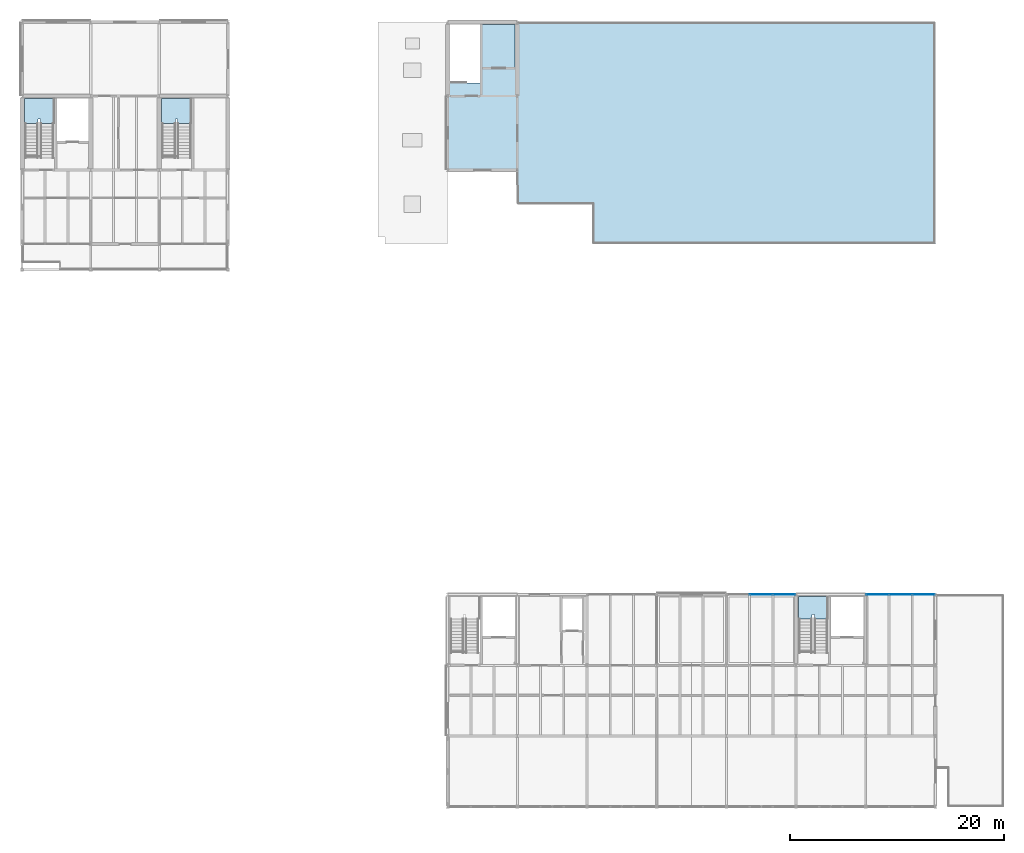
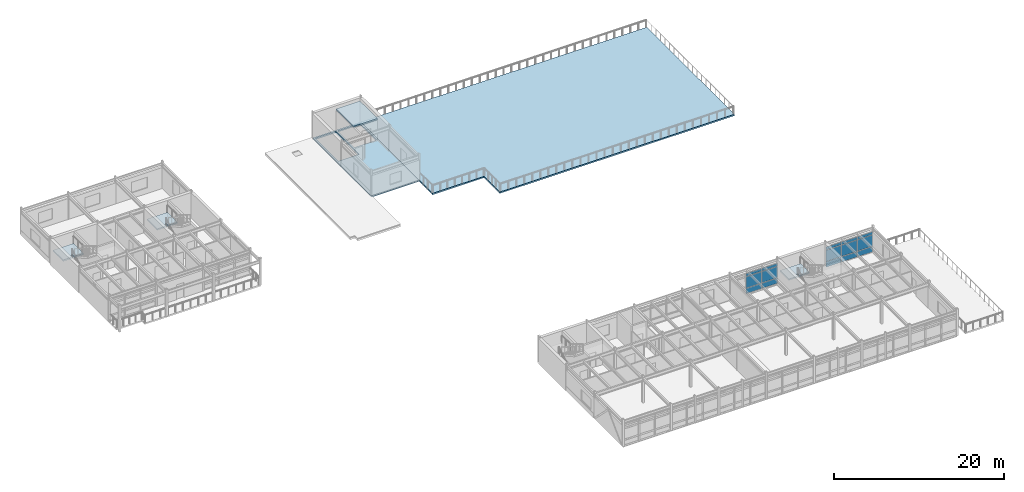
# One storey, part 15 of 26: 15 plates, 6 slabs, 5 elements without a shape of their own.
"""IFC4 building model written with IfcOpenShell, lengths in metres."""

from ifc_helpers import new_model, si_unit, direction, frame, origin, origin_2d, place, context, subcontext, project, spatial, polyline, rectangle, outline, extrude, material, layer, layer_set, type_object, element, aggregate, save


model = new_model("IFC4")

# Units and contexts
model_context = context("Model", 3, precision=1e-05, world=origin(), true_north=direction((0.0, 1.0)))
body_context = subcontext(model_context, "Body", "Model", "MODEL_VIEW")
ifc_project = project(units=[si_unit("LENGTHUNIT", "METRE"), si_unit("AREAUNIT", "SQUARE_METRE"), si_unit("VOLUMEUNIT", "CUBIC_METRE"), si_unit("PLANEANGLEUNIT", "RADIAN"), si_unit("MASSUNIT", "GRAM", prefix="KILO")], contexts=[model_context])

# Site, building, storey
site_placement = place(None, origin())
site = spatial("IfcSite", under=ifc_project, at=site_placement, CompositionType="ELEMENT")
building_placement = place(site_placement, origin())
building = spatial("IfcBuilding", under=site, at=building_placement, Name="Trelmorton Wharf Fire Station", CompositionType="ELEMENT")
storey_placement = place(building_placement, frame((0.0, 0.0, 17.39990234375)))
storey = spatial("IfcBuildingStorey", under=building, at=storey_placement, Name="L04", CompositionType="ELEMENT", Elevation=17.39990234375)

# Curtain wall, plates
ifc_material_1 = material(Name="Anodised aluminium AW-6063", Category="aluminium")
ifc_layer_1 = layer(ifc_material_1, 0.14990234375)
ifc_layer_set_1 = layer_set([ifc_layer_1], Name="Anodised aluminium AW-6063")
curtain_wall_type = type_object("IfcCurtainWallType", Name="CW_UNIT_A", PredefinedType="USERDEFINED", material=ifc_layer_set_1)
curtain_wall_1_placement = place(storey_placement, origin())
curtain_wall_1 = element("IfcCurtainWall", 1, at=curtain_wall_1_placement, inside=storey, type_object=curtain_wall_type, Name="CW-V5-L04-080", ObjectType="UNITISED CURTAIN WALL", PredefinedType="USERDEFINED")
ifc_material_2 = material(Name="Tempered low-E double glazing", Category="glass")
ifc_layer_2 = layer(ifc_material_2, 0.028076171875)
ifc_layer_set_2 = layer_set([ifc_layer_2], Name="Tempered low-E double glazing")
plate_type_1 = type_object("IfcPlateType", Name="CWP_GLAZ_28", PredefinedType="CURTAIN_PANEL", material=ifc_layer_set_2)
plate_1_placement = place(storey_placement, frame((139.75, 27.60009765625, 0.06005859375), z_axis=(0.0, 0.0, 1.0), x_axis=(1.0, 0.0, 0.0)))
plate_1 = element("IfcPlate", 2, at=plate_1_placement, type_object=plate_type_1, Name="CW3 panel 2.1", PredefinedType="CURTAIN_PANEL", context=body_context, shape_type="SweptSolid", body=[
    extrude(rectangle(XDim=2.103271484375, YDim=0.028076171875, at=origin_2d()), origin(), (0.0, 0.0, 1.0), 0.760009765625),
])
plate_2_placement = place(storey_placement, frame((139.75, 27.60009765625, 0.8798828125), z_axis=(0.0, 0.0, 1.0), x_axis=(1.0, 0.0, 0.0)))
plate_2 = element("IfcPlate", 3, at=plate_2_placement, type_object=plate_type_1, Name="CW3 panel 2.2", PredefinedType="CURTAIN_PANEL", context=body_context, shape_type="SweptSolid", body=[
    extrude(rectangle(XDim=2.103271484375, YDim=0.028076171875, at=origin_2d()), origin(), (0.0, 0.0, 1.0), 1.610107421875),
])
plate_3_placement = place(storey_placement, frame((139.75, 27.60009765625, 2.55029296875), z_axis=(0.0, 0.0, 1.0), x_axis=(1.0, 0.0, 0.0)))
plate_3 = element("IfcPlate", 4, at=plate_3_placement, type_object=plate_type_1, Name="CW3 panel 2.3", PredefinedType="CURTAIN_PANEL", context=body_context, shape_type="SweptSolid", body=[
    extrude(rectangle(XDim=2.103271484375, YDim=0.028076171875, at=origin_2d()), origin(), (0.0, 0.0, 1.0), 0.409912109375),
])
plate_4_placement = place(storey_placement, frame((141.8984375, 27.60009765625, 0.06005859375), z_axis=(0.0, 0.0, 1.0), x_axis=(1.0, 0.0, 0.0)))
plate_4 = element("IfcPlate", 5, at=plate_4_placement, type_object=plate_type_1, Name="CW3 panel 3.1", PredefinedType="CURTAIN_PANEL", context=body_context, shape_type="SweptSolid", body=[
    extrude(rectangle(XDim=2.0732421875, YDim=0.028076171875, at=origin_2d()), origin(), (0.0, 0.0, 1.0), 0.760009765625),
])
plate_5_placement = place(storey_placement, frame((141.8984375, 27.60009765625, 0.8798828125), z_axis=(0.0, 0.0, 1.0), x_axis=(1.0, 0.0, 0.0)))
plate_5 = element("IfcPlate", 6, at=plate_5_placement, type_object=plate_type_1, Name="CW3 panel 3.2", PredefinedType="CURTAIN_PANEL", context=body_context, shape_type="SweptSolid", body=[
    extrude(rectangle(XDim=2.0732421875, YDim=0.028076171875, at=origin_2d()), origin(), (0.0, 0.0, 1.0), 1.610107421875),
])
plate_6_placement = place(storey_placement, frame((141.8984375, 27.60009765625, 2.55029296875), z_axis=(0.0, 0.0, 1.0), x_axis=(1.0, 0.0, 0.0)))
plate_6 = element("IfcPlate", 7, at=plate_6_placement, type_object=plate_type_1, Name="CW3 panel 3.3", PredefinedType="CURTAIN_PANEL", context=body_context, shape_type="SweptSolid", body=[
    extrude(rectangle(XDim=2.0732421875, YDim=0.028076171875, at=origin_2d()), origin(), (0.0, 0.0, 1.0), 0.409912109375),
])
aggregate(curtain_wall_1, [plate_1, plate_2, plate_3, plate_4, plate_5, plate_6])

curtain_wall_2_placement = place(storey_placement, origin())
curtain_wall_2 = element("IfcCurtainWall", 8, at=curtain_wall_2_placement, inside=storey, type_object=curtain_wall_type, Name="CW-V5-L04-081", ObjectType="UNITISED CURTAIN WALL", PredefinedType="USERDEFINED")
ifc_layer_3 = layer(ifc_material_2, 0.028076171875)
ifc_layer_set_3 = layer_set([ifc_layer_3], Name="Tempered low-E double glazing")
plate_type_2 = type_object("IfcPlateType", Name="CWP_GLAZ_38", PredefinedType="CURTAIN_PANEL", material=ifc_layer_set_3)
plate_7_placement = place(storey_placement, frame((150.6015625, 27.60009765625, 0.06005859375), z_axis=(0.0, 0.0, 1.0), x_axis=(1.0, 0.0, 0.0)))
plate_7 = element("IfcPlate", 9, at=plate_7_placement, type_object=plate_type_2, Name="CW3 panel 1.1", PredefinedType="CURTAIN_PANEL", context=body_context, shape_type="SweptSolid", body=[
    extrude(rectangle(XDim=2.0732421875, YDim=0.028076171875, at=origin_2d()), origin(), (0.0, 0.0, 1.0), 0.760009765625),
])
plate_8_placement = place(storey_placement, frame((150.6015625, 27.60009765625, 0.8798828125), z_axis=(0.0, 0.0, 1.0), x_axis=(1.0, 0.0, 0.0)))
plate_8 = element("IfcPlate", 10, at=plate_8_placement, type_object=plate_type_2, Name="CW3 panel 1.2", PredefinedType="CURTAIN_PANEL", context=body_context, shape_type="SweptSolid", body=[
    extrude(rectangle(XDim=2.0732421875, YDim=0.028076171875, at=origin_2d()), origin(), (0.0, 0.0, 1.0), 1.610107421875),
])
plate_9_placement = place(storey_placement, frame((150.6015625, 27.60009765625, 2.55029296875), z_axis=(0.0, 0.0, 1.0), x_axis=(1.0, 0.0, 0.0)))
plate_9 = element("IfcPlate", 11, at=plate_9_placement, type_object=plate_type_2, Name="CW3 panel 1.3", PredefinedType="CURTAIN_PANEL", context=body_context, shape_type="SweptSolid", body=[
    extrude(rectangle(XDim=2.0732421875, YDim=0.028076171875, at=origin_2d()), origin(), (0.0, 0.0, 1.0), 0.409912109375),
])
plate_10_placement = place(storey_placement, frame((152.75, 27.60009765625, 0.06005859375), z_axis=(0.0, 0.0, 1.0), x_axis=(1.0, 0.0, 0.0)))
plate_10 = element("IfcPlate", 12, at=plate_10_placement, type_object=plate_type_2, Name="CW3 panel 2.1", PredefinedType="CURTAIN_PANEL", context=body_context, shape_type="SweptSolid", body=[
    extrude(rectangle(XDim=2.103271484375, YDim=0.028076171875, at=origin_2d()), origin(), (0.0, 0.0, 1.0), 0.760009765625),
])
plate_11_placement = place(storey_placement, frame((152.75, 27.60009765625, 0.8798828125), z_axis=(0.0, 0.0, 1.0), x_axis=(1.0, 0.0, 0.0)))
plate_11 = element("IfcPlate", 13, at=plate_11_placement, type_object=plate_type_2, Name="CW3 panel 2.2", PredefinedType="CURTAIN_PANEL", context=body_context, shape_type="SweptSolid", body=[
    extrude(rectangle(XDim=2.103271484375, YDim=0.028076171875, at=origin_2d()), origin(), (0.0, 0.0, 1.0), 1.610107421875),
])
plate_12_placement = place(storey_placement, frame((152.75, 27.60009765625, 2.55029296875), z_axis=(0.0, 0.0, 1.0), x_axis=(1.0, 0.0, 0.0)))
plate_12 = element("IfcPlate", 14, at=plate_12_placement, type_object=plate_type_2, Name="CW3 panel 2.3", PredefinedType="CURTAIN_PANEL", context=body_context, shape_type="SweptSolid", body=[
    extrude(rectangle(XDim=2.103271484375, YDim=0.028076171875, at=origin_2d()), origin(), (0.0, 0.0, 1.0), 0.409912109375),
])
plate_13_placement = place(storey_placement, frame((154.8984375, 27.60009765625, 0.06005859375), z_axis=(0.0, 0.0, 1.0), x_axis=(1.0, 0.0, 0.0)))
plate_13 = element("IfcPlate", 15, at=plate_13_placement, type_object=plate_type_2, Name="CW3 panel 3.1", PredefinedType="CURTAIN_PANEL", context=body_context, shape_type="SweptSolid", body=[
    extrude(rectangle(XDim=2.0732421875, YDim=0.028076171875, at=origin_2d()), origin(), (0.0, 0.0, 1.0), 0.760009765625),
])
plate_14_placement = place(storey_placement, frame((154.8984375, 27.60009765625, 0.8798828125), z_axis=(0.0, 0.0, 1.0), x_axis=(1.0, 0.0, 0.0)))
plate_14 = element("IfcPlate", 16, at=plate_14_placement, type_object=plate_type_2, Name="CW3 panel 3.2", PredefinedType="CURTAIN_PANEL", context=body_context, shape_type="SweptSolid", body=[
    extrude(rectangle(XDim=2.0732421875, YDim=0.028076171875, at=origin_2d()), origin(), (0.0, 0.0, 1.0), 1.610107421875),
])
plate_15_placement = place(storey_placement, frame((154.8984375, 27.60009765625, 2.55029296875), z_axis=(0.0, 0.0, 1.0), x_axis=(1.0, 0.0, 0.0)))
plate_15 = element("IfcPlate", 17, at=plate_15_placement, type_object=plate_type_2, Name="CW3 panel 3.3", PredefinedType="CURTAIN_PANEL", context=body_context, shape_type="SweptSolid", body=[
    extrude(rectangle(XDim=2.0732421875, YDim=0.028076171875, at=origin_2d()), origin(), (0.0, 0.0, 1.0), 0.409912109375),
])
aggregate(curtain_wall_2, [plate_7, plate_8, plate_9, plate_10, plate_11, plate_12, plate_13, plate_14, plate_15])

# Slabs
ifc_material_3 = material(Name="Concrete 40 MPa", Category="concrete")
ifc_layer_4 = layer(ifc_material_3, 0.199951171875)
ifc_layer_set_4 = layer_set([ifc_layer_4], Name="Concrete 40 MPa")
slab_type_1 = type_object("IfcSlabType", Name="SL_FLOOR_200", PredefinedType="FLOOR", material=ifc_layer_set_4)
slab_1_placement = place(storey_placement, frame((0.0, 0.0, -0.199951171875)))
element("IfcSlab", 18, at=slab_1_placement, inside=storey, type_object=slab_type_1, Name="SL-V4-L04-062", PredefinedType="FLOOR", context=body_context, shape_type="SweptSolid", body=[
    extrude(outline(polyline([(110.5, 81.0), (117.0, 81.0), (117.0, 67.199951171875), (110.5, 67.199951171875), (110.5, 81.0)]), holes=[polyline([(110.719970703125, 80.780029296875), (110.719970703125, 75.340087890625), (113.510009765625, 75.340087890625), (113.510009765625, 80.780029296875), (110.719970703125, 80.780029296875)]), polyline([(116.780029296875, 80.780029296875), (113.739990234375, 80.780029296875), (113.739990234375, 76.820068359375), (116.780029296875, 76.820068359375), (116.780029296875, 80.780029296875)])]), origin(), (0.0, 0.0, 1.0), 0.199951171875),
])
slab_2_placement = place(storey_placement, frame((0.0, 0.0, 3.02001953125)))
element("IfcSlab", 19, at=slab_2_placement, inside=storey, type_object=slab_type_1, Name="SL-CAP-C7", PredefinedType="FLOOR", context=body_context, shape_type="SweptSolid", body=[
    extrude(outline(polyline([(113.56005859375, 76.639892578125), (116.794921875, 76.639892578125), (116.794921875, 80.794921875), (113.56005859375, 80.794921875), (113.56005859375, 76.639892578125)])), origin(), (0.0, 0.0, 1.0), 0.2001953125),
])

# Stair, slab
ifc_material_4 = material(Name="Precast concrete 45 MPa", Category="concrete")
stair_type_1 = type_object("IfcStairType", Name="ST_DOG_390", PredefinedType="HALF_TURN_STAIR", material=ifc_material_4)
stair_1_placement = place(storey_placement, origin())
stair_1 = element("IfcStair", 20, at=stair_1_placement, inside=storey, type_object=stair_type_1, Name="Escape Stair ST5-L04", PredefinedType="HALF_TURN_STAIR")
ifc_layer_5 = layer(ifc_material_4, 0.199951171875)
ifc_layer_set_5 = layer_set([ifc_layer_5], Name="Precast concrete 45 MPa")
slab_type_2 = type_object("IfcSlabType", Name="SL_LAND_180", PredefinedType="LANDING", material=ifc_layer_set_5)
slab_3_placement = place(storey_placement, frame((0.0, 0.0, 1.75)))
slab_3 = element("IfcSlab", 21, at=slab_3_placement, type_object=slab_type_2, Name="ST5-L04 landing 1", PredefinedType="LANDING", context=body_context, shape_type="SweptSolid", body=[
    extrude(outline(polyline([(143.205078125, 25.330078125), (144.5, 25.330078125), (144.5, 25.75), (144.699951171875, 25.75), (144.699951171875, 25.330078125), (146.0048828125, 25.330078125), (146.0048828125, 27.39501953125), (143.205078125, 27.39501953125), (143.205078125, 25.330078125)])), origin(), (0.0, 0.0, 1.0), 0.2001953125),
])
aggregate(stair_1, [slab_3])

stair_type_2 = type_object("IfcStairType", Name="ST_TWO_390", PredefinedType="TWO_STRAIGHT_RUN_STAIR", material=ifc_material_4)
stair_2_placement = place(storey_placement, origin())
stair_2 = element("IfcStair", 22, at=stair_2_placement, inside=storey, type_object=stair_type_2, Name="Escape Stair ST8-L04", PredefinedType="TWO_STRAIGHT_RUN_STAIR")
slab_4_placement = place(storey_placement, frame((0.0, 0.0, 1.75)))
slab_4 = element("IfcSlab", 23, at=slab_4_placement, type_object=slab_type_2, Name="ST8-L04 landing 1", PredefinedType="LANDING", context=body_context, shape_type="SweptSolid", body=[
    extrude(outline(polyline([(71.0048828125, 71.530029296875), (72.300048828125, 71.530029296875), (72.300048828125, 71.949951171875), (72.5, 71.949951171875), (72.5, 71.530029296875), (73.804931640625, 71.530029296875), (73.804931640625, 73.89501953125), (71.0048828125, 73.89501953125), (71.0048828125, 71.530029296875)])), origin(), (0.0, 0.0, 1.0), 0.2001953125),
])
aggregate(stair_2, [slab_4])

stair_3_placement = place(storey_placement, origin())
stair_3 = element("IfcStair", 24, at=stair_3_placement, inside=storey, type_object=stair_type_2, Name="Escape Stair ST9-L04", PredefinedType="TWO_STRAIGHT_RUN_STAIR")
slab_5_placement = place(storey_placement, frame((0.0, 0.0, 1.75)))
slab_5 = element("IfcSlab", 25, at=slab_5_placement, type_object=slab_type_2, Name="ST9-L04 landing 1", PredefinedType="LANDING", context=body_context, shape_type="SweptSolid", body=[
    extrude(outline(polyline([(83.804931640625, 71.530029296875), (85.10009765625, 71.530029296875), (85.10009765625, 71.949951171875), (85.300048828125, 71.949951171875), (85.300048828125, 71.530029296875), (86.60498046875, 71.530029296875), (86.60498046875, 73.89501953125), (83.804931640625, 73.89501953125), (83.804931640625, 71.530029296875)])), origin(), (0.0, 0.0, 1.0), 0.2001953125),
])
aggregate(stair_3, [slab_5])

# Slab
ifc_layer_6 = layer(ifc_material_3, 0.2099609375)
ifc_layer_set_6 = layer_set([ifc_layer_6], Name="Concrete 40 MPa")
slab_type_3 = type_object("IfcSlabType", Name="SL_TERRACE_210", PredefinedType="FLOOR", material=ifc_layer_set_6)
slab_6_placement = place(storey_placement, frame((0.0, 0.0, -0.2099609375)))
element("IfcSlab", 26, at=slab_6_placement, inside=storey, type_object=slab_type_3, Name="SL-EXT-V4_ROOF_GARDEN_L04", PredefinedType="FLOOR", context=body_context, shape_type="SweptSolid", body=[
    extrude(outline(polyline([(117.0, 81.0), (156.0, 81.0), (156.0, 60.300048828125), (124.02001953125, 60.300048828125), (124.02001953125, 64.02587890625), (117.0, 64.02587890625), (117.0, 81.0)])), origin(), (0.0, 0.0, 1.0), 0.2099609375),
])

save(model, "model.ifc")
